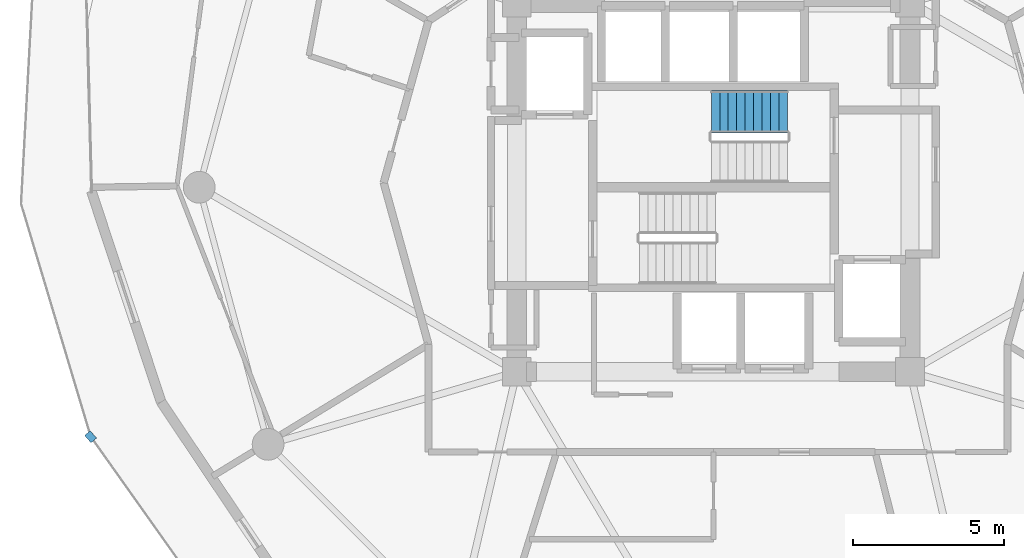
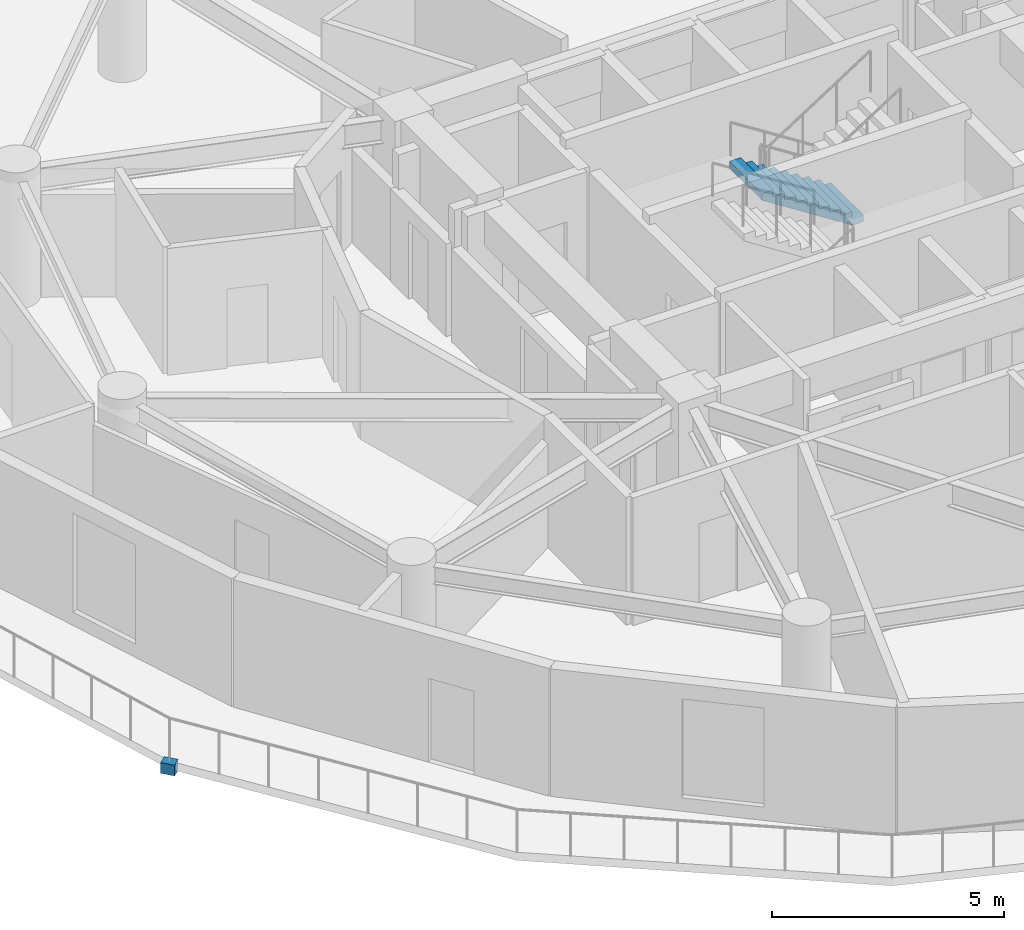
# One storey, part 18 of 20: 1 discrete accessory, 1 stair flight, 1 element without a shape of its own.
"""IFC4 building model written with IfcOpenShell, lengths in metres."""

from ifc_helpers import new_model, si_unit, direction, frame, origin, origin_2d, place, context, subcontext, project, spatial, polyline, rectangle, outline, extrude, material, type_object, element, aggregate, save


model = new_model("IFC4")

# Units and contexts
model_context = context("Model", 3, precision=1e-05, world=origin(), true_north=direction((0.0, 1.0)))
body_context = subcontext(model_context, "Body", "Model", "MODEL_VIEW")
ifc_project = project(units=[si_unit("LENGTHUNIT", "METRE"), si_unit("AREAUNIT", "SQUARE_METRE"), si_unit("VOLUMEUNIT", "CUBIC_METRE"), si_unit("PLANEANGLEUNIT", "RADIAN"), si_unit("MASSUNIT", "GRAM", prefix="KILO")], contexts=[model_context])

# Site, building, storey
site_placement = place(None, origin())
site = spatial("IfcSite", under=ifc_project, at=site_placement, CompositionType="ELEMENT")
building_placement = place(site_placement, origin())
building = spatial("IfcBuilding", under=site, at=building_placement, Name="Solvirekh Grand Hotel", CompositionType="ELEMENT")
storey_placement = place(building_placement, frame((0.0, 0.0, 156.60009765625)))
storey = spatial("IfcBuildingStorey", under=building, at=storey_placement, Name="L40", CompositionType="ELEMENT", Elevation=156.60009765625)

# Stair, stair flight
ifc_material_1 = material(Name="Concrete C40/50", Category="concrete")
stair_type = type_object("IfcStairType", Name="Stair_Core_1450", PredefinedType="HALF_TURN_STAIR", material=ifc_material_1)
stair_placement = place(storey_placement, origin())
stair = element("IfcStair", 1, at=stair_placement, inside=storey, type_object=stair_type, Name="L40 Enclosed exit stair ST-2", PredefinedType="HALF_TURN_STAIR")
stair_flight_type = type_object("IfcStairFlightType", Name="Flight_Core_1450", PredefinedType="STRAIGHT", material=ifc_material_1)
stair_flight_placement = place(storey_placement, frame((2.449951171875, 2.5, 0.0), z_axis=(0.0, 0.0, 1.0), x_axis=(-1.0, 0.0, 0.0)))
stair_flight = element("IfcStairFlight", 2, at=stair_flight_placement, type_object=stair_flight_type, Name="ST-2 flight 1", NumberOfRisers=10, NumberOfTreads=9, PredefinedType="STRAIGHT", RiserHeight=0.18, TreadLength=0.28, context=body_context, shape_type="SweptSolid", body=[
    extrude(outline(polyline([(0.0, 0.0), (0.0, 0.179931640625), (0.280029296875, 0.179931640625), (0.280029296875, 0.360107421875), (0.56005859375, 0.360107421875), (0.56005859375, 0.5400390625), (0.840087890625, 0.5400390625), (0.840087890625, 0.719970703125), (1.1201171875, 0.719970703125), (1.1201171875, 0.89990234375), (1.39990234375, 0.89990234375), (1.39990234375, 1.080078125), (1.679931640625, 1.080078125), (1.679931640625, 1.260009765625), (1.9599609375, 1.260009765625), (1.9599609375, 1.43994140625), (2.239990234375, 1.43994140625), (2.239990234375, 1.6201171875), (2.52001953125, 1.6201171875), (2.52001953125, 1.800048828125), (2.52001953125, 1.44189453125), (0.277099609375, 0.0), (0.0, 0.0)])), frame((0.0, 0.699951171875, 0.0), z_axis=(0.0, -1.0, 0.0), x_axis=(1.0, 0.0, 0.0)), (0.0, 0.0, 1.0), 1.39990234375),
])
aggregate(stair, [stair_flight])

# Discrete accessory
ifc_material_2 = material(Name="Steel S355", Category="steel")
discrete_accessory_type = type_object("IfcDiscreteAccessoryType", Name="Acc_ThermalBracket", PredefinedType="BRACKET", material=ifc_material_2)
discrete_accessory_placement = place(storey_placement, frame((-20.590087890625, -8.2490234375, -0.2802734375), z_axis=(0.0, 0.0, 1.0), x_axis=(0.661311865324, -0.75011106963, 0.0)))
element("IfcDiscreteAccessory", 3, at=discrete_accessory_placement, inside=storey, type_object=discrete_accessory_type, Name="L40 balcony thermal-break bracket", PredefinedType="BRACKET", context=body_context, shape_type="SweptSolid", body=[
    extrude(rectangle(XDim=0.320068359375, YDim=0.239990234375, at=origin_2d()), origin(), (0.0, 0.0, 1.0), 0.280029296875),
])

save(model, "model.ifc")
